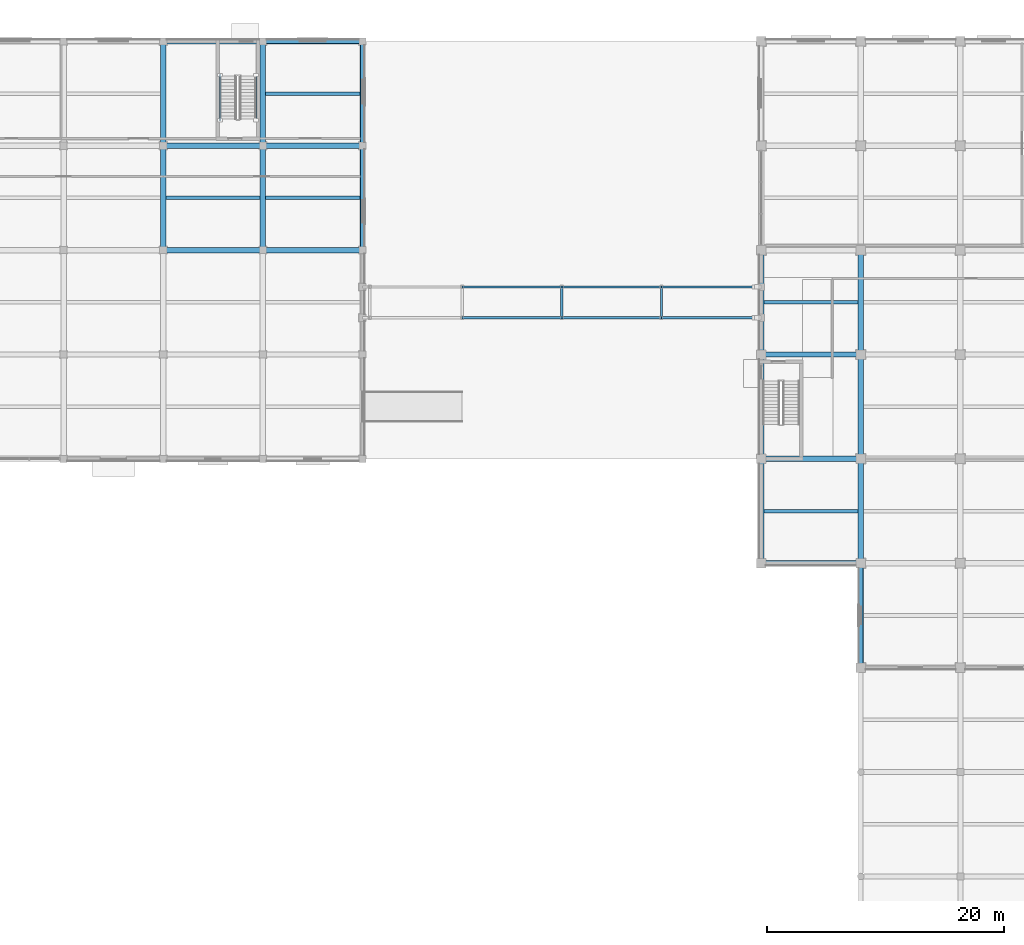
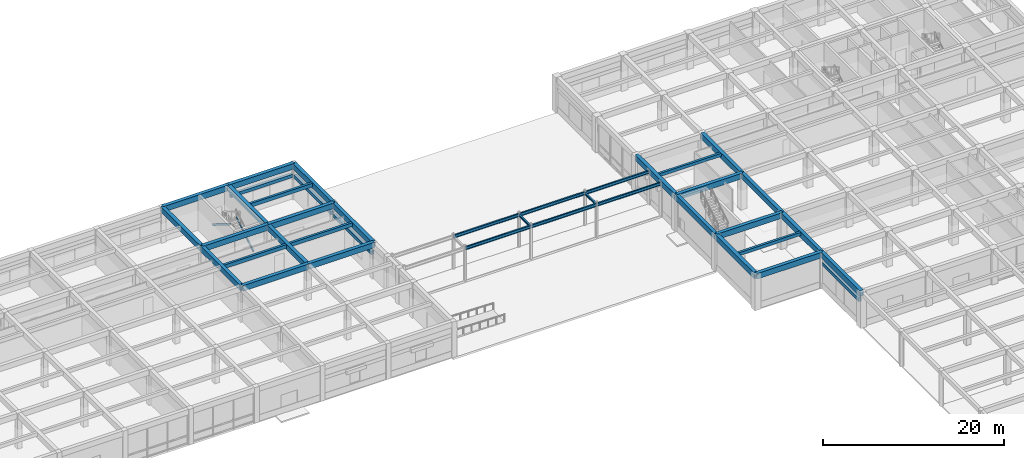
# One storey, part 18 of 58: 39 beams, 2 members.
"""IFC4 building model written with IfcOpenShell, lengths in metres."""

from ifc_helpers import new_model, si_unit, direction, frame, origin, origin_2d, place, context, subcontext, project, spatial, rectangle, hollow_rectangle, i_section, extrude, material, material_profile, profile_set, type_object, element, save


model = new_model("IFC4")

# Units and contexts
model_context = context("Model", 3, precision=1e-05, world=origin(), true_north=direction((0.0, 1.0)))
body_context = subcontext(model_context, "Body", "Model", "MODEL_VIEW")
ifc_project = project(units=[si_unit("LENGTHUNIT", "METRE"), si_unit("AREAUNIT", "SQUARE_METRE"), si_unit("VOLUMEUNIT", "CUBIC_METRE"), si_unit("PLANEANGLEUNIT", "RADIAN"), si_unit("MASSUNIT", "GRAM", prefix="KILO")], contexts=[model_context])

# Site, building, storey
site_placement = place(None, origin())
site = spatial("IfcSite", under=ifc_project, at=site_placement, CompositionType="ELEMENT")
building_placement = place(site_placement, origin())
building = spatial("IfcBuilding", under=site, at=building_placement, Name="Kemercrest Conservatory and Botanical Centre", CompositionType="ELEMENT")
storey_placement = place(building_placement, origin())
storey = spatial("IfcBuildingStorey", under=building, at=storey_placement, Name="L00", CompositionType="ELEMENT", Elevation=0.0)

# Beams
ifc_material_1 = material(Name="Steel CSA G40.21 350W", Category="steel")
ifc_material_profile_1 = material_profile(ifc_material_1, i_section(OverallWidth=0.180908203125, OverallDepth=0.4169921875, WebThickness=0.010986328125, FlangeThickness=0.018310546875, FilletRadius=0.01611328125, at=origin_2d()), Name="W410X85")
ifc_profile_set_1 = profile_set([ifc_material_profile_1], Name="Steel CSA G40.21 350W")
beam_type_1 = type_object("IfcBeamType", Name="BM-LB410", PredefinedType="BEAM", material=ifc_profile_set_1)
for number, where, z_axis, x_axis, name in (
    (1, (100.39990234375, 99.10009765625, 4.37158203125), (1.0, 0.0, 0.0), (0.0, 1.0, 0.0), "Link bridge girder LB-01 SJ-3"),
    (2, (100.39990234375, 101.699951171875, 4.37158203125), (1.0, 0.0, 0.0), (0.0, 1.0, 0.0), "Link bridge girder LB-01 SJ-3"),
):
    element("IfcBeam", number, at=place(storey_placement, frame(where, z_axis=z_axis, x_axis=x_axis)), inside=storey, type_object=beam_type_1, Name=name, PredefinedType="BEAM", context=body_context, shape_type="SweptSolid", body=[
        extrude(i_section(OverallWidth=0.180908203125, OverallDepth=0.4169921875, WebThickness=0.010986328125, FlangeThickness=0.018310546875, FilletRadius=0.01611328125, at=origin_2d()), origin(), (0.0, 0.0, 1.0), 8.400146484375),
    ])
for number, where, z_axis, x_axis, name in (
    (3, (108.800048828125, 99.10009765625, 4.37158203125), (1.0, 0.0, 0.0), (0.0, 1.0, 0.0), "Link bridge girder LB-01 SJ-3"),
    (4, (108.800048828125, 101.699951171875, 4.37158203125), (1.0, 0.0, 0.0), (0.0, 1.0, 0.0), "Link bridge girder LB-01 SJ-3"),
):
    element("IfcBeam", number, at=place(storey_placement, frame(where, z_axis=z_axis, x_axis=x_axis)), inside=storey, type_object=beam_type_1, Name=name, PredefinedType="BEAM", context=body_context, shape_type="SweptSolid", body=[
        extrude(i_section(OverallWidth=0.180908203125, OverallDepth=0.4169921875, WebThickness=0.010986328125, FlangeThickness=0.018310546875, FilletRadius=0.01611328125, at=origin_2d()), origin(), (0.0, 0.0, 1.0), 8.39990234375),
    ])
for number, where, z_axis, x_axis, name in (
    (5, (117.199951171875, 99.10009765625, 4.37158203125), (1.0, 0.0, 0.0), (0.0, 1.0, 0.0), "Link bridge girder LB-01 SJ-3"),
    (6, (117.199951171875, 101.699951171875, 4.37158203125), (1.0, 0.0, 0.0), (0.0, 1.0, 0.0), "Link bridge girder LB-01 SJ-3"),
):
    element("IfcBeam", number, at=place(storey_placement, frame(where, z_axis=z_axis, x_axis=x_axis)), inside=storey, type_object=beam_type_1, Name=name, PredefinedType="BEAM", context=body_context, shape_type="SweptSolid", body=[
        extrude(i_section(OverallWidth=0.180908203125, OverallDepth=0.4169921875, WebThickness=0.010986328125, FlangeThickness=0.018310546875, FilletRadius=0.01611328125, at=origin_2d()), origin(), (0.0, 0.0, 1.0), 8.25),
    ])
ifc_material_2 = material(Name="Concrete C40/50", Category="concrete")
ifc_material_profile_2 = material_profile(ifc_material_2, rectangle(XDim=0.449951171875, YDim=0.75, at=origin_2d()), Name="RC 450x750")
ifc_profile_set_2 = profile_set([ifc_material_profile_2], Name="Concrete C40/50")
beam_type_2 = type_object("IfcBeamType", Name="BM-RC75", PredefinedType="BEAM", material=ifc_profile_set_2)
beam_1_placement = place(storey_placement, frame((75.199951171875, 104.800048828125, 4.425048828125), z_axis=(1.0, 0.0, 0.0), x_axis=(0.0, 1.0, 0.0)))
element("IfcBeam", 7, at=beam_1_placement, inside=storey, type_object=beam_type_2, Name="V3-L01 beam BM-RC75 M/09-10", PredefinedType="BEAM", context=body_context, shape_type="SweptSolid", body=[
    extrude(rectangle(XDim=0.449951171875, YDim=0.75, at=origin_2d()), origin(), (0.0, 0.0, 1.0), 8.400146484375),
])
beam_2_placement = place(storey_placement, frame((83.60009765625, 104.800048828125, 4.425048828125), z_axis=(1.0, 0.0, 0.0), x_axis=(0.0, 1.0, 0.0)))
element("IfcBeam", 8, at=beam_2_placement, inside=storey, type_object=beam_type_2, Name="V3-L01 beam BM-RC75 M/10-11", PredefinedType="BEAM", context=body_context, shape_type="SweptSolid", body=[
    extrude(rectangle(XDim=0.449951171875, YDim=0.75, at=origin_2d()), origin(), (0.0, 0.0, 1.0), 8.39990234375),
])
beam_3_placement = place(storey_placement, frame((75.199951171875, 113.60009765625, 4.425048828125), z_axis=(1.0, 0.0, 0.0), x_axis=(0.0, 1.0, 0.0)))
element("IfcBeam", 9, at=beam_3_placement, inside=storey, type_object=beam_type_2, Name="V3-L01 beam BM-RC75 N/09-10", PredefinedType="BEAM", context=body_context, shape_type="SweptSolid", body=[
    extrude(rectangle(XDim=0.449951171875, YDim=0.75, at=origin_2d()), origin(), (0.0, 0.0, 1.0), 8.400146484375),
])
beam_4_placement = place(storey_placement, frame((83.60009765625, 113.60009765625, 4.425048828125), z_axis=(1.0, 0.0, 0.0), x_axis=(0.0, 1.0, 0.0)))
element("IfcBeam", 10, at=beam_4_placement, inside=storey, type_object=beam_type_2, Name="V3-L01 beam BM-RC75 N/10-11", PredefinedType="BEAM", context=body_context, shape_type="SweptSolid", body=[
    extrude(rectangle(XDim=0.449951171875, YDim=0.75, at=origin_2d()), origin(), (0.0, 0.0, 1.0), 8.39990234375),
])
beam_5_placement = place(storey_placement, frame((75.199951171875, 104.800048828125, 4.425048828125), z_axis=(0.0, 1.0, 0.0), x_axis=(-1.0, 0.0, 0.0)))
element("IfcBeam", 11, at=beam_5_placement, inside=storey, type_object=beam_type_2, Name="V3-L01 beam BM-RC75 09/M-N", PredefinedType="BEAM", context=body_context, shape_type="SweptSolid", body=[
    extrude(rectangle(XDim=0.449951171875, YDim=0.75, at=origin_2d()), origin(), (0.0, 0.0, 1.0), 8.800048828125),
])
beam_6_placement = place(storey_placement, frame((75.199951171875, 113.60009765625, 4.425048828125), z_axis=(0.0, 1.0, 0.0), x_axis=(-1.0, 0.0, 0.0)))
element("IfcBeam", 12, at=beam_6_placement, inside=storey, type_object=beam_type_2, Name="V3-L01 beam BM-RC75 09/N-P", PredefinedType="BEAM", context=body_context, shape_type="SweptSolid", body=[
    extrude(rectangle(XDim=0.449951171875, YDim=0.75, at=origin_2d()), origin(), (0.0, 0.0, 1.0), 8.7998046875),
])
beam_7_placement = place(storey_placement, frame((83.60009765625, 104.800048828125, 4.425048828125), z_axis=(0.0, 1.0, 0.0), x_axis=(-1.0, 0.0, 0.0)))
element("IfcBeam", 13, at=beam_7_placement, inside=storey, type_object=beam_type_2, Name="V3-L01 beam BM-RC75 10/M-N", PredefinedType="BEAM", context=body_context, shape_type="SweptSolid", body=[
    extrude(rectangle(XDim=0.449951171875, YDim=0.75, at=origin_2d()), origin(), (0.0, 0.0, 1.0), 8.800048828125),
])
beam_8_placement = place(storey_placement, frame((83.60009765625, 113.60009765625, 4.425048828125), z_axis=(0.0, 1.0, 0.0), x_axis=(-1.0, 0.0, 0.0)))
element("IfcBeam", 14, at=beam_8_placement, inside=storey, type_object=beam_type_2, Name="V3-L01 beam BM-RC75 10/N-P", PredefinedType="BEAM", context=body_context, shape_type="SweptSolid", body=[
    extrude(rectangle(XDim=0.449951171875, YDim=0.75, at=origin_2d()), origin(), (0.0, 0.0, 1.0), 8.7998046875),
])
for number, where, z_axis, x_axis, name in (
    (15, (125.60009765625, 78.39990234375, 4.425048828125), (1.0, 0.0, 0.0), (0.0, 1.0, 0.0), "V4-L01 beam BM-RC75 J/15-16"),
    (16, (125.60009765625, 87.199951171875, 4.425048828125), (1.0, 0.0, 0.0), (0.0, 1.0, 0.0), "V4-L01 beam BM-RC75 K/15-16"),
    (17, (125.60009765625, 96.0, 4.425048828125), (1.0, 0.0, 0.0), (0.0, 1.0, 0.0), "V4-L01 beam BM-RC75 L/15-16"),
):
    element("IfcBeam", number, at=place(storey_placement, frame(where, z_axis=z_axis, x_axis=x_axis)), inside=storey, type_object=beam_type_2, Name=name, PredefinedType="BEAM", context=body_context, shape_type="SweptSolid", body=[
        extrude(rectangle(XDim=0.449951171875, YDim=0.75, at=origin_2d()), origin(), (0.0, 0.0, 1.0), 8.39990234375),
    ])
beam_9_placement = place(storey_placement, frame((134.0, 69.60009765625, 4.425048828125), z_axis=(0.0, 1.0, 0.0), x_axis=(-1.0, 0.0, 0.0)))
element("IfcBeam", 18, at=beam_9_placement, inside=storey, type_object=beam_type_2, Name="V4-L01 beam BM-RC75 16/H-J", PredefinedType="BEAM", context=body_context, shape_type="SweptSolid", body=[
    extrude(rectangle(XDim=0.449951171875, YDim=0.75, at=origin_2d()), origin(), (0.0, 0.0, 1.0), 8.7998046875),
])
for number, where, z_axis, x_axis, name in (
    (19, (134.0, 78.39990234375, 4.425048828125), (0.0, 1.0, 0.0), (-1.0, 0.0, 0.0), "V4-L01 beam BM-RC75 16/J-K"),
    (20, (134.0, 87.199951171875, 4.425048828125), (0.0, 1.0, 0.0), (-1.0, 0.0, 0.0), "V4-L01 beam BM-RC75 16/K-L"),
    (21, (134.0, 96.0, 4.425048828125), (0.0, 1.0, 0.0), (-1.0, 0.0, 0.0), "V4-L01 beam BM-RC75 16/L-M"),
):
    element("IfcBeam", number, at=place(storey_placement, frame(where, z_axis=z_axis, x_axis=x_axis)), inside=storey, type_object=beam_type_2, Name=name, PredefinedType="BEAM", context=body_context, shape_type="SweptSolid", body=[
        extrude(rectangle(XDim=0.449951171875, YDim=0.75, at=origin_2d()), origin(), (0.0, 0.0, 1.0), 8.800048828125),
    ])
ifc_material_profile_3 = material_profile(ifc_material_2, rectangle(XDim=0.300048828125, YDim=0.419921875, at=origin_2d()), Name="RC 300x420")
ifc_profile_set_3 = profile_set([ifc_material_profile_3], Name="Concrete C40/50")
beam_type_3 = type_object("IfcBeamType", Name="JS-RC42", PredefinedType="JOIST", material=ifc_profile_set_3)
for number, where, z_axis, x_axis, name in (
    (22, (125.824951171875, 82.800048828125, 4.590087890625), (1.0, 0.0, 0.0), (0.0, 1.0, 0.0), "V4-L01 secondary joist JS-RC42"),
    (23, (125.824951171875, 100.39990234375, 4.590087890625), (1.0, 0.0, 0.0), (0.0, 1.0, 0.0), "V4-L01 secondary joist JS-RC42"),
):
    element("IfcBeam", number, at=place(storey_placement, frame(where, z_axis=z_axis, x_axis=x_axis)), inside=storey, type_object=beam_type_3, Name=name, PredefinedType="JOIST", context=body_context, shape_type="SweptSolid", body=[
        extrude(rectangle(XDim=0.300048828125, YDim=0.419921875, at=origin_2d()), origin(), (0.0, 0.0, 1.0), 7.949951171875),
    ])
ifc_material_profile_4 = material_profile(ifc_material_2, rectangle(XDim=0.300048828125, YDim=0.5, at=origin_2d()), Name="RC 300x500")
ifc_profile_set_4 = profile_set([ifc_material_profile_4], Name="Concrete C40/50")
beam_type_4 = type_object("IfcBeamType", Name="JS-RC50", PredefinedType="JOIST", material=ifc_profile_set_4)
for number, where, z_axis, x_axis, name in (
    (24, (75.425048828125, 109.199951171875, 4.550048828125), (1.0, 0.0, 0.0), (0.0, 1.0, 0.0), "V3-L01 secondary joist JS-RC50"),
    (25, (83.824951171875, 109.199951171875, 4.550048828125), (1.0, 0.0, 0.0), (0.0, 1.0, 0.0), "V3-L01 secondary joist JS-RC50"),
    (26, (83.824951171875, 118.0, 4.550048828125), (1.0, 0.0, 0.0), (0.0, 1.0, 0.0), "V3-L01 secondary joist JS-RC50"),
):
    element("IfcBeam", number, at=place(storey_placement, frame(where, z_axis=z_axis, x_axis=x_axis)), inside=storey, type_object=beam_type_4, Name=name, PredefinedType="JOIST", context=body_context, shape_type="SweptSolid", body=[
        extrude(rectangle(XDim=0.300048828125, YDim=0.5, at=origin_2d()), origin(), (0.0, 0.0, 1.0), 7.949951171875),
    ])
ifc_material_profile_5 = material_profile(ifc_material_1, i_section(OverallWidth=0.202880859375, OverallDepth=0.251953125, WebThickness=0.008056640625, FlangeThickness=0.013427734375, FilletRadius=0.010986328125, at=origin_2d()), Name="W250X58")
ifc_profile_set_5 = profile_set([ifc_material_profile_5], Name="Steel CSA G40.21 350W")
beam_type_5 = type_object("IfcBeamType", Name="JS-W250", PredefinedType="JOIST", material=ifc_profile_set_5)
for number, where, z_axis, x_axis, name in (
    (27, (108.800048828125, 99.1904296875, 4.37158203125), (0.0, 1.0, 0.0), (-1.0, 0.0, 0.0), "Link bridge cross beam SJ-3"),
    (28, (117.199951171875, 99.1904296875, 4.37158203125), (0.0, 1.0, 0.0), (-1.0, 0.0, 0.0), "Link bridge cross beam SJ-3"),
):
    element("IfcBeam", number, at=place(storey_placement, frame(where, z_axis=z_axis, x_axis=x_axis)), inside=storey, type_object=beam_type_5, Name=name, PredefinedType="JOIST", context=body_context, shape_type="SweptSolid", body=[
        extrude(i_section(OverallWidth=0.202880859375, OverallDepth=0.251953125, WebThickness=0.008056640625, FlangeThickness=0.013427734375, FilletRadius=0.010986328125, at=origin_2d()), origin(), (0.0, 0.0, 1.0), 2.419189453125),
    ])
ifc_material_3 = material(Name="Precast concrete C40/50", Category="concrete")
ifc_material_profile_6 = material_profile(ifc_material_3, rectangle(XDim=0.35009765625, YDim=0.449951171875, at=origin_2d()), Name="RC 350x450")
ifc_profile_set_6 = profile_set([ifc_material_profile_6], Name="Precast concrete C40/50")
beam_type_6 = type_object("IfcBeamType", Name="LN-RC45", PredefinedType="LINTEL", material=ifc_profile_set_6)
beam_10_placement = place(storey_placement, frame((92.0, 105.050048828125, 3.0849609375), z_axis=(0.0, 1.0, 0.0), x_axis=(-1.0, 0.0, 0.0)))
element("IfcBeam", 29, at=beam_10_placement, inside=storey, type_object=beam_type_6, Name="Precast arched window lintel (WIN:L00:EXT-080)", PredefinedType="LINTEL", context=body_context, shape_type="SweptSolid", body=[
    extrude(rectangle(XDim=0.35009765625, YDim=0.449951171875, at=origin_2d()), origin(), (0.0, 0.0, 1.0), 8.300048828125),
])
beam_11_placement = place(storey_placement, frame((92.0, 113.85009765625, 3.10498046875), z_axis=(0.0, 1.0, 0.0), x_axis=(-1.0, 0.0, 0.0)))
element("IfcBeam", 30, at=beam_11_placement, inside=storey, type_object=beam_type_6, Name="Precast arched window lintel (WIN:L00:EXT-081)", PredefinedType="LINTEL", context=body_context, shape_type="SweptSolid", body=[
    extrude(rectangle(XDim=0.35009765625, YDim=0.449951171875, at=origin_2d()), origin(), (0.0, 0.0, 1.0), 8.2998046875),
])
beam_12_placement = place(storey_placement, frame((91.75, 122.39990234375, 3.14501953125), z_axis=(-1.0, 0.0, 0.0), x_axis=(0.0, -1.0, 0.0)))
element("IfcBeam", 31, at=beam_12_placement, inside=storey, type_object=beam_type_6, Name="Precast arched window lintel (WIN:L00:EXT-082)", PredefinedType="LINTEL", context=body_context, shape_type="SweptSolid", body=[
    extrude(rectangle(XDim=0.35009765625, YDim=0.449951171875, at=origin_2d()), origin(), (0.0, 0.0, 1.0), 7.89990234375),
])
beam_13_placement = place(storey_placement, frame((134.0, 78.050048828125, 3.324951171875), z_axis=(0.0, -1.0, 0.0), x_axis=(1.0, 0.0, 0.0)))
element("IfcBeam", 32, at=beam_13_placement, inside=storey, type_object=beam_type_6, Name="Precast arched window lintel (WIN:L00:EXT-175)", PredefinedType="LINTEL", context=body_context, shape_type="SweptSolid", body=[
    extrude(rectangle(XDim=0.35009765625, YDim=0.449951171875, at=origin_2d()), origin(), (0.0, 0.0, 1.0), 8.10009765625),
])
ifc_material_profile_7 = material_profile(ifc_material_2, rectangle(XDim=0.449951171875, YDim=0.75, at=origin_2d()), Name="RC 450x750")
ifc_profile_set_7 = profile_set([ifc_material_profile_7], Name="Concrete C40/50")
beam_type_7 = type_object("IfcBeamType", Name="SP-RC75", PredefinedType="SPANDREL", material=ifc_profile_set_7)
beam_14_placement = place(storey_placement, frame((75.199951171875, 122.39990234375, 4.425048828125), z_axis=(1.0, 0.0, 0.0), x_axis=(0.0, 1.0, 0.0)))
element("IfcBeam", 33, at=beam_14_placement, inside=storey, type_object=beam_type_7, Name="V3-L01 beam SP-RC75 P/09-10", PredefinedType="SPANDREL", context=body_context, shape_type="SweptSolid", body=[
    extrude(rectangle(XDim=0.449951171875, YDim=0.75, at=origin_2d()), origin(), (0.0, 0.0, 1.0), 8.400146484375),
])
beam_15_placement = place(storey_placement, frame((83.60009765625, 122.39990234375, 4.425048828125), z_axis=(1.0, 0.0, 0.0), x_axis=(0.0, 1.0, 0.0)))
element("IfcBeam", 34, at=beam_15_placement, inside=storey, type_object=beam_type_7, Name="V3-L01 beam SP-RC75 P/10-11", PredefinedType="SPANDREL", context=body_context, shape_type="SweptSolid", body=[
    extrude(rectangle(XDim=0.449951171875, YDim=0.75, at=origin_2d()), origin(), (0.0, 0.0, 1.0), 8.39990234375),
])
beam_16_placement = place(storey_placement, frame((92.0, 104.800048828125, 4.425048828125), z_axis=(0.0, 1.0, 0.0), x_axis=(-1.0, 0.0, 0.0)))
element("IfcBeam", 35, at=beam_16_placement, inside=storey, type_object=beam_type_7, Name="V3-L01 beam SP-RC75 11/M-N", PredefinedType="SPANDREL", context=body_context, shape_type="SweptSolid", body=[
    extrude(rectangle(XDim=0.449951171875, YDim=0.75, at=origin_2d()), origin(), (0.0, 0.0, 1.0), 8.800048828125),
])
beam_17_placement = place(storey_placement, frame((92.0, 113.60009765625, 4.425048828125), z_axis=(0.0, 1.0, 0.0), x_axis=(-1.0, 0.0, 0.0)))
element("IfcBeam", 36, at=beam_17_placement, inside=storey, type_object=beam_type_7, Name="V3-L01 beam SP-RC75 11/N-P", PredefinedType="SPANDREL", context=body_context, shape_type="SweptSolid", body=[
    extrude(rectangle(XDim=0.449951171875, YDim=0.75, at=origin_2d()), origin(), (0.0, 0.0, 1.0), 8.7998046875),
])
for number, where, z_axis, x_axis, name in (
    (37, (125.60009765625, 78.39990234375, 4.425048828125), (0.0, 1.0, 0.0), (-1.0, 0.0, 0.0), "V4-L01 beam SP-RC75 15/J-K"),
    (38, (125.60009765625, 87.199951171875, 4.425048828125), (0.0, 1.0, 0.0), (-1.0, 0.0, 0.0), "V4-L01 beam SP-RC75 15/K-L"),
    (39, (125.60009765625, 96.0, 4.425048828125), (0.0, 1.0, 0.0), (-1.0, 0.0, 0.0), "V4-L01 beam SP-RC75 15/L-M"),
):
    element("IfcBeam", number, at=place(storey_placement, frame(where, z_axis=z_axis, x_axis=x_axis)), inside=storey, type_object=beam_type_7, Name=name, PredefinedType="SPANDREL", context=body_context, shape_type="SweptSolid", body=[
        extrude(rectangle(XDim=0.449951171875, YDim=0.75, at=origin_2d()), origin(), (0.0, 0.0, 1.0), 8.800048828125),
    ])

# Members
ifc_material_profile_8 = material_profile(ifc_material_1, hollow_rectangle(XDim=0.15234375, YDim=0.25390625, WallThickness=0.009521484375, InnerFilletRadius=0.009521484375, OuterFilletRadius=0.01904296875, at=origin_2d()), Name="HSS 254x152x9.5")
ifc_profile_set_8 = profile_set([ifc_material_profile_8], Name="Steel CSA G40.21 350W")
member_type = type_object("IfcMemberType", Name="SR-STR254", PredefinedType="STRINGER", material=ifc_profile_set_8)
for number, where, z_axis, x_axis, name in (
    (40, (83.010009765625, 115.760009765625, -0.10009765625), (0.0, 0.84748707537, 0.530816029411), (-1.0, 0.0, 0.0), "Stair ST-V3B steel stringer #31"),
    (41, (79.989990234375, 115.760009765625, 4.679931640625), (0.0, 0.847511569253, -0.53077692111), (-1.0, 0.0, 0.0), "Stair ST-V3B steel stringer #32"),
):
    element("IfcMember", number, at=place(storey_placement, frame(where, z_axis=z_axis, x_axis=x_axis)), inside=storey, type_object=member_type, Name=name, PredefinedType="STRINGER", context=body_context, shape_type="SweptSolid", body=[
        extrude(hollow_rectangle(XDim=0.15234375, YDim=0.25390625, WallThickness=0.009521484375, InnerFilletRadius=0.009521484375, OuterFilletRadius=0.01904296875, at=origin_2d()), origin(), (0.0, 0.0, 1.0), 4.48388671875),
    ])

save(model, "model.ifc")
